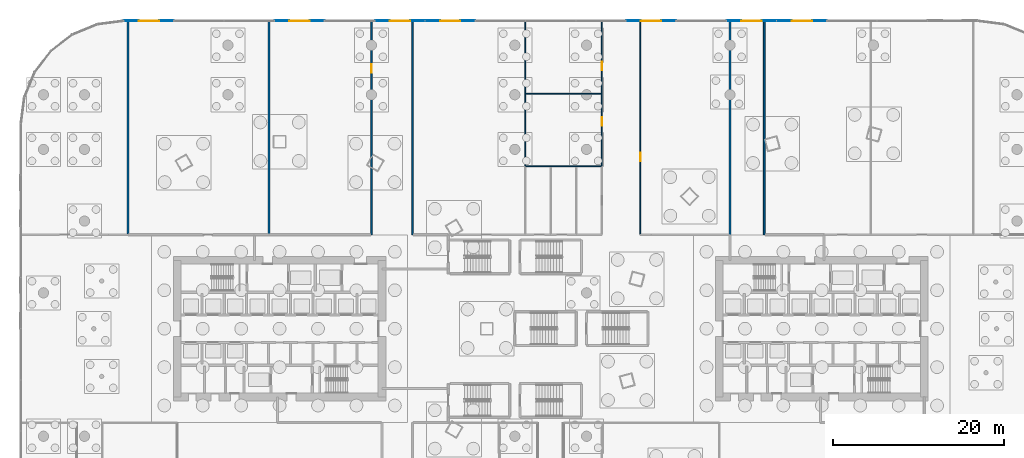
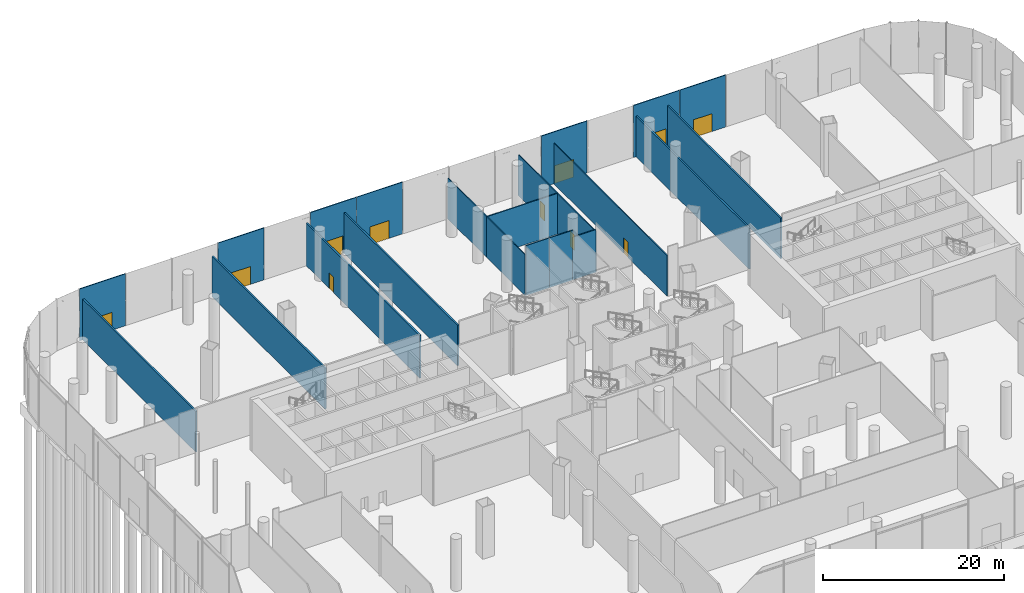
# One storey, part 34 of 41: 22 walls, 11 doors, 11 openings.
"""IFC4 building model written with IfcOpenShell, lengths in metres."""

from ifc_helpers import new_model, si_unit, direction, frame, frame_2d, origin, place, context, subcontext, project, spatial, rectangle, extrude, material, layer, layer_set, type_object, element, fill, save


model = new_model("IFC4")

# Units and contexts
model_context = context("Model", 3, precision=1e-05, world=origin(), true_north=direction((0.0, 1.0)))
body_context = subcontext(model_context, "Body", "Model", "MODEL_VIEW")
ifc_project = project(units=[si_unit("LENGTHUNIT", "METRE"), si_unit("AREAUNIT", "SQUARE_METRE"), si_unit("VOLUMEUNIT", "CUBIC_METRE"), si_unit("PLANEANGLEUNIT", "RADIAN"), si_unit("MASSUNIT", "GRAM", prefix="KILO")], contexts=[model_context])

# Site, building, storey
site_placement = place(None, origin())
site = spatial("IfcSite", under=ifc_project, at=site_placement, CompositionType="ELEMENT")
building_placement = place(site_placement, origin())
building = spatial("IfcBuilding", under=site, at=building_placement, Name="Rimbun Link Towers", CompositionType="ELEMENT")
storey_placement = place(building_placement, origin())
storey = spatial("IfcBuildingStorey", under=building, at=storey_placement, Name="L00", CompositionType="ELEMENT", Elevation=0.0)

# Wall, opening, door
ifc_material_1 = material(Name="Aluminium framed insulated infill panel", Category="aluminium")
ifc_layer_1 = layer(ifc_material_1, 0.10009765625)
ifc_layer_set_1 = layer_set([ifc_layer_1], Name="ED framed infill wall 100")
wall_type_1 = type_object("IfcWallType", Name="ED framed infill wall 100", PredefinedType="STANDARD", material=ifc_layer_set_1)
wall_1_placement = place(storey_placement, frame((26.490478515625, 36.050048828125, 0.0), z_axis=(0.0, 0.0, 1.0), x_axis=(1.0, 0.0, 0.0)))
wall_1 = element("IfcWall", 1, at=wall_1_placement, inside=storey, type_object=wall_type_1, Name="Framed door bay wall", PredefinedType="STANDARD", context=body_context, shape_type="SweptSolid", body=[
    extrude(rectangle(XDim=5.842529296875, YDim=0.10009765625, at=frame_2d((2.92138671875, 0.0))), origin(), (0.0, 0.0, 1.0), 7.0),
])
opening_1_placement = place(wall_1_placement, frame((1.72119140625, 0.0, 0.0)))
opening_1 = element("IfcOpeningElement", 2, at=opening_1_placement, cuts=wall_1, Name="Opening ED05", PredefinedType="OPENING", context=body_context, shape_type="SweptSolid", body=[
    extrude(rectangle(XDim=2.39990234375, YDim=2.39990234375, at=frame_2d((1.199951171875, 1.199951171875))), frame((0.0, 0.06005859375, 0.0), z_axis=(0.0, -1.0, 0.0), x_axis=(1.0, 0.0, 0.0)), (0.0, 0.0, 1.0), 0.1201171875),
])
ifc_material_2 = material(Name="Aluminium framed glazed door, low-iron glass", Category="aluminium")
door_type_1 = type_object("IfcDoorType", Name="ED entrance door double leaf 2400X2400", OperationType="DOUBLE_DOOR_SINGLE_SWING", PredefinedType="DOOR", material=ifc_material_2)
door_1_placement = place(opening_1_placement, origin())
door_1 = element("IfcDoor", 3, at=door_1_placement, inside=storey, type_object=door_type_1, Name="Entrance door", OperationType="SINGLE_SWING_LEFT", OverallHeight=2.39990234375, OverallWidth=2.39990234375, PredefinedType="DOOR", context=body_context, shape_type="SweptSolid", body=[
    extrude(rectangle(XDim=2.39990234375, YDim=2.39990234375, at=frame_2d((1.199951171875, 1.199951171875))), frame((0.0, 0.02490234375, 0.0), z_axis=(0.0, -1.0, 0.0), x_axis=(1.0, 0.0, 0.0)), (0.0, 0.0, 1.0), 0.050048828125),
])
fill(opening_1, door_1)

wall_2_placement = place(storey_placement, frame((20.608154296875, 36.050048828125, 0.0), z_axis=(0.0, 0.0, 1.0), x_axis=(1.0, 0.0, 0.0)))
wall_2 = element("IfcWall", 4, at=wall_2_placement, inside=storey, type_object=wall_type_1, Name="Framed door bay wall", PredefinedType="STANDARD", context=body_context, shape_type="SweptSolid", body=[
    extrude(rectangle(XDim=5.842529296875, YDim=0.10009765625, at=frame_2d((2.92138671875, 0.0))), origin(), (0.0, 0.0, 1.0), 7.0),
])
opening_2_placement = place(wall_2_placement, frame((1.72119140625, 0.0, 0.0)))
opening_2 = element("IfcOpeningElement", 5, at=opening_2_placement, cuts=wall_2, Name="Opening ED06", PredefinedType="OPENING", context=body_context, shape_type="SweptSolid", body=[
    extrude(rectangle(XDim=2.39990234375, YDim=2.39990234375, at=frame_2d((1.199951171875, 1.199951171875))), frame((0.0, 0.06005859375, 0.0), z_axis=(0.0, -1.0, 0.0), x_axis=(1.0, 0.0, 0.0)), (0.0, 0.0, 1.0), 0.1201171875),
])
door_2_placement = place(opening_2_placement, origin())
door_2 = element("IfcDoor", 6, at=door_2_placement, inside=storey, type_object=door_type_1, Name="Entrance door", OperationType="SINGLE_SWING_LEFT", OverallHeight=2.39990234375, OverallWidth=2.39990234375, PredefinedType="DOOR", context=body_context, shape_type="SweptSolid", body=[
    extrude(rectangle(XDim=2.39990234375, YDim=2.39990234375, at=frame_2d((1.199951171875, 1.199951171875))), frame((0.0, 0.02490234375, 0.0), z_axis=(0.0, -1.0, 0.0), x_axis=(1.0, 0.0, 0.0)), (0.0, 0.0, 1.0), 0.050048828125),
])
fill(opening_2, door_2)

wall_3_placement = place(storey_placement, frame((8.843505859375, 36.050048828125, 0.0), z_axis=(0.0, 0.0, 1.0), x_axis=(1.0, 0.0, 0.0)))
wall_3 = element("IfcWall", 7, at=wall_3_placement, inside=storey, type_object=wall_type_1, Name="Framed door bay wall", PredefinedType="STANDARD", context=body_context, shape_type="SweptSolid", body=[
    extrude(rectangle(XDim=5.84228515625, YDim=0.10009765625, at=frame_2d((2.921142578125, 0.0))), origin(), (0.0, 0.0, 1.0), 7.0),
])
opening_3_placement = place(wall_3_placement, frame((1.72119140625, 0.0, 0.0)))
opening_3 = element("IfcOpeningElement", 8, at=opening_3_placement, cuts=wall_3, Name="Opening ED07", PredefinedType="OPENING", context=body_context, shape_type="SweptSolid", body=[
    extrude(rectangle(XDim=2.39990234375, YDim=2.39990234375, at=frame_2d((1.199951171875, 1.199951171875))), frame((0.0, 0.06005859375, 0.0), z_axis=(0.0, -1.0, 0.0), x_axis=(1.0, 0.0, 0.0)), (0.0, 0.0, 1.0), 0.1201171875),
])
door_3_placement = place(opening_3_placement, origin())
door_3 = element("IfcDoor", 9, at=door_3_placement, inside=storey, type_object=door_type_1, Name="Entrance door", OperationType="SINGLE_SWING_LEFT", OverallHeight=2.39990234375, OverallWidth=2.39990234375, PredefinedType="DOOR", context=body_context, shape_type="SweptSolid", body=[
    extrude(rectangle(XDim=2.39990234375, YDim=2.39990234375, at=frame_2d((1.199951171875, 1.199951171875))), frame((0.0, 0.02490234375, 0.0), z_axis=(0.0, -1.0, 0.0), x_axis=(1.0, 0.0, 0.0)), (0.0, 0.0, 1.0), 0.050048828125),
])
fill(opening_3, door_3)

wall_4_placement = place(storey_placement, frame((-14.685791015625, 36.050048828125, 0.0), z_axis=(0.0, 0.0, 1.0), x_axis=(1.0, 0.0, 0.0)))
wall_4 = element("IfcWall", 10, at=wall_4_placement, inside=storey, type_object=wall_type_1, Name="Framed door bay wall", PredefinedType="STANDARD", context=body_context, shape_type="SweptSolid", body=[
    extrude(rectangle(XDim=5.84228515625, YDim=0.10009765625, at=frame_2d((2.921142578125, 0.0))), origin(), (0.0, 0.0, 1.0), 7.0),
])
opening_4_placement = place(wall_4_placement, frame((1.72119140625, 0.0, 0.0)))
opening_4 = element("IfcOpeningElement", 11, at=opening_4_placement, cuts=wall_4, Name="Opening ED08", PredefinedType="OPENING", context=body_context, shape_type="SweptSolid", body=[
    extrude(rectangle(XDim=2.39990234375, YDim=2.39990234375, at=frame_2d((1.199951171875, 1.199951171875))), frame((0.0, 0.06005859375, 0.0), z_axis=(0.0, -1.0, 0.0), x_axis=(1.0, 0.0, 0.0)), (0.0, 0.0, 1.0), 0.1201171875),
])
door_4_placement = place(opening_4_placement, origin())
door_4 = element("IfcDoor", 12, at=door_4_placement, inside=storey, type_object=door_type_1, Name="Entrance door", OperationType="SINGLE_SWING_LEFT", OverallHeight=2.39990234375, OverallWidth=2.39990234375, PredefinedType="DOOR", context=body_context, shape_type="SweptSolid", body=[
    extrude(rectangle(XDim=2.39990234375, YDim=2.39990234375, at=frame_2d((1.199951171875, 1.199951171875))), frame((0.0, 0.02490234375, 0.0), z_axis=(0.0, -1.0, 0.0), x_axis=(1.0, 0.0, 0.0)), (0.0, 0.0, 1.0), 0.050048828125),
])
fill(opening_4, door_4)

wall_5_placement = place(storey_placement, frame((-20.568115234375, 36.050048828125, 0.0), z_axis=(0.0, 0.0, 1.0), x_axis=(1.0, 0.0, 0.0)))
wall_5 = element("IfcWall", 13, at=wall_5_placement, inside=storey, type_object=wall_type_1, Name="Framed door bay wall", PredefinedType="STANDARD", context=body_context, shape_type="SweptSolid", body=[
    extrude(rectangle(XDim=5.84228515625, YDim=0.10009765625, at=frame_2d((2.921142578125, 0.0))), origin(), (0.0, 0.0, 1.0), 7.0),
])
opening_5_placement = place(wall_5_placement, frame((1.72119140625, 0.0, 0.0)))
opening_5 = element("IfcOpeningElement", 14, at=opening_5_placement, cuts=wall_5, Name="Opening ED09", PredefinedType="OPENING", context=body_context, shape_type="SweptSolid", body=[
    extrude(rectangle(XDim=2.39990234375, YDim=2.39990234375, at=frame_2d((1.199951171875, 1.199951171875))), frame((0.0, 0.06005859375, 0.0), z_axis=(0.0, -1.0, 0.0), x_axis=(1.0, 0.0, 0.0)), (0.0, 0.0, 1.0), 0.1201171875),
])
door_5_placement = place(opening_5_placement, origin())
door_5 = element("IfcDoor", 15, at=door_5_placement, inside=storey, type_object=door_type_1, Name="Entrance door", OperationType="SINGLE_SWING_LEFT", OverallHeight=2.39990234375, OverallWidth=2.39990234375, PredefinedType="DOOR", context=body_context, shape_type="SweptSolid", body=[
    extrude(rectangle(XDim=2.39990234375, YDim=2.39990234375, at=frame_2d((1.199951171875, 1.199951171875))), frame((0.0, 0.02490234375, 0.0), z_axis=(0.0, -1.0, 0.0), x_axis=(1.0, 0.0, 0.0)), (0.0, 0.0, 1.0), 0.050048828125),
])
fill(opening_5, door_5)

wall_6_placement = place(storey_placement, frame((-32.3330078125, 36.050048828125, 0.0), z_axis=(0.0, 0.0, 1.0), x_axis=(1.0, 0.0, 0.0)))
wall_6 = element("IfcWall", 16, at=wall_6_placement, inside=storey, type_object=wall_type_1, Name="Framed door bay wall", PredefinedType="STANDARD", context=body_context, shape_type="SweptSolid", body=[
    extrude(rectangle(XDim=5.842529296875, YDim=0.10009765625, at=frame_2d((2.92138671875, 0.0))), origin(), (0.0, 0.0, 1.0), 7.0),
])
opening_6_placement = place(wall_6_placement, frame((1.72119140625, 0.0, 0.0)))
opening_6 = element("IfcOpeningElement", 17, at=opening_6_placement, cuts=wall_6, Name="Opening ED10", PredefinedType="OPENING", context=body_context, shape_type="SweptSolid", body=[
    extrude(rectangle(XDim=2.39990234375, YDim=2.39990234375, at=frame_2d((1.199951171875, 1.199951171875))), frame((0.0, 0.06005859375, 0.0), z_axis=(0.0, -1.0, 0.0), x_axis=(1.0, 0.0, 0.0)), (0.0, 0.0, 1.0), 0.1201171875),
])
door_6_placement = place(opening_6_placement, origin())
door_6 = element("IfcDoor", 18, at=door_6_placement, inside=storey, type_object=door_type_1, Name="Entrance door", OperationType="SINGLE_SWING_LEFT", OverallHeight=2.39990234375, OverallWidth=2.39990234375, PredefinedType="DOOR", context=body_context, shape_type="SweptSolid", body=[
    extrude(rectangle(XDim=2.39990234375, YDim=2.39990234375, at=frame_2d((1.199951171875, 1.199951171875))), frame((0.0, 0.02490234375, 0.0), z_axis=(0.0, -1.0, 0.0), x_axis=(1.0, 0.0, 0.0)), (0.0, 0.0, 1.0), 0.050048828125),
])
fill(opening_6, door_6)

wall_7_placement = place(storey_placement, frame((-49.97998046875, 36.050048828125, 0.0), z_axis=(0.0, 0.0, 1.0), x_axis=(1.0, 0.0, 0.0)))
wall_7 = element("IfcWall", 19, at=wall_7_placement, inside=storey, type_object=wall_type_1, Name="Framed door bay wall", PredefinedType="STANDARD", context=body_context, shape_type="SweptSolid", body=[
    extrude(rectangle(XDim=5.84228515625, YDim=0.10009765625, at=frame_2d((2.921142578125, 0.0))), origin(), (0.0, 0.0, 1.0), 7.0),
])
opening_7_placement = place(wall_7_placement, frame((1.72119140625, 0.0, 0.0)))
opening_7 = element("IfcOpeningElement", 20, at=opening_7_placement, cuts=wall_7, Name="Opening ED11", PredefinedType="OPENING", context=body_context, shape_type="SweptSolid", body=[
    extrude(rectangle(XDim=2.39990234375, YDim=2.39990234375, at=frame_2d((1.199951171875, 1.199951171875))), frame((0.0, 0.06005859375, 0.0), z_axis=(0.0, -1.0, 0.0), x_axis=(1.0, 0.0, 0.0)), (0.0, 0.0, 1.0), 0.1201171875),
])
door_7_placement = place(opening_7_placement, origin())
door_7 = element("IfcDoor", 21, at=door_7_placement, inside=storey, type_object=door_type_1, Name="Entrance door", OperationType="SINGLE_SWING_LEFT", OverallHeight=2.39990234375, OverallWidth=2.39990234375, PredefinedType="DOOR", context=body_context, shape_type="SweptSolid", body=[
    extrude(rectangle(XDim=2.39990234375, YDim=2.39990234375, at=frame_2d((1.199951171875, 1.199951171875))), frame((0.0, 0.02490234375, 0.0), z_axis=(0.0, -1.0, 0.0), x_axis=(1.0, 0.0, 0.0)), (0.0, 0.0, 1.0), 0.050048828125),
])
fill(opening_7, door_7)

ifc_material_3 = material(Name="Concrete blockwork", Category="masonry")
ifc_layer_2 = layer(ifc_material_3, 0.199951171875)
ifc_layer_set_2 = layer_set([ifc_layer_2], Name="Fire partition 200 blockwork")
wall_type_2 = type_object("IfcWallType", Name="Fire partition 200 blockwork", PredefinedType="PARTITIONING", material=ifc_layer_set_2)
wall_8_placement = place(storey_placement, frame((-21.0, 36.080078125, 0.0), z_axis=(0.0, 0.0, 1.0), x_axis=(0.0, -1.0, 0.0)))
wall_8 = element("IfcWall", 22, at=wall_8_placement, inside=storey, type_object=wall_type_2, Name="PD/PW/L00/041", PredefinedType="PARTITIONING", context=body_context, shape_type="SweptSolid", body=[
    extrude(rectangle(XDim=25.080078125, YDim=0.199951171875, at=frame_2d((12.5400390625, 0.0))), origin(), (0.0, 0.0, 1.0), 5.761962890625),
])
opening_8_placement = place(wall_8_placement, frame((5.0859375, 0.0, 0.0)))
opening_8 = element("IfcOpeningElement", 23, at=opening_8_placement, cuts=wall_8, Name="Opening PD D00.21", PredefinedType="OPENING", context=body_context, shape_type="SweptSolid", body=[
    extrude(rectangle(XDim=1.0, YDim=2.10009765625, at=frame_2d((0.5, 1.050048828125))), frame((0.0, 0.10986328125, 0.0), z_axis=(0.0, -1.0, 0.0), x_axis=(1.0, 0.0, 0.0)), (0.0, 0.0, 1.0), 0.219970703125),
])
ifc_material_4 = material(Name="Steel fire door set", Category="steel")
door_type_2 = type_object("IfcDoorType", Name="Fire door single leaf 1000 x 2100", OperationType="NOTDEFINED", PredefinedType="DOOR", material=ifc_material_4)
door_8_placement = place(opening_8_placement, origin())
door_8 = element("IfcDoor", 24, at=door_8_placement, inside=storey, type_object=door_type_2, Name="PD/DR/L00/021", OperationType="SINGLE_SWING_RIGHT", OverallHeight=2.10009765625, OverallWidth=1.0, PredefinedType="DOOR", context=body_context, shape_type="SweptSolid", body=[
    extrude(rectangle(XDim=1.0, YDim=2.10009765625, at=frame_2d((0.5, 1.050048828125))), frame((0.0, 0.02490234375, 0.0), z_axis=(0.0, -1.0, 0.0), x_axis=(1.0, 0.0, 0.0)), (0.0, 0.0, 1.0), 0.050048828125),
])
fill(opening_8, door_8)

# Walls
for number, where, z_axis, x_axis, name in (
    (25, (-16.199951171875, 11.0, 0.0), (0.0, 0.0, 1.0), (0.0, 1.0, 0.0), "PD/PW/L00/043"),
    (26, (21.0, 36.080078125, 0.0), (0.0, 0.0, 1.0), (0.0, -1.0, 0.0), "PD/PW/L00/047"),
    (27, (25.0, 11.0, 0.0), (0.0, 0.0, 1.0), (0.0, 1.0, 0.0), "PD/PW/L00/048"),
):
    element("IfcWall", number, at=place(storey_placement, frame(where, z_axis=z_axis, x_axis=x_axis)), inside=storey, type_object=wall_type_2, Name=name, PredefinedType="PARTITIONING", context=body_context, shape_type="SweptSolid", body=[
        extrude(rectangle(XDim=25.080078125, YDim=0.199951171875, at=frame_2d((12.5400390625, 0.0))), origin(), (0.0, 0.0, 1.0), 5.47998046875),
    ])
wall_9_placement = place(storey_placement, frame((-49.5, 11.0625, 0.0), z_axis=(0.0, 0.0, 1.0), x_axis=(0.0, 1.0, 0.0)))
element("IfcWall", 28, at=wall_9_placement, inside=storey, type_object=wall_type_2, Name="PD/PW/L00/122", PredefinedType="PARTITIONING", context=body_context, shape_type="SweptSolid", body=[
    extrude(rectangle(XDim=25.017578125, YDim=0.199951171875, at=frame_2d((12.5087890625, 0.0))), origin(), (0.0, 0.0, 1.0), 5.47998046875),
])
wall_10_placement = place(storey_placement, frame((-33.0, 11.10009765625, 0.0), z_axis=(0.0, 0.0, 1.0), x_axis=(0.0, 1.0, 0.0)))
element("IfcWall", 29, at=wall_10_placement, inside=storey, type_object=wall_type_2, Name="PD/PW/L00/123", PredefinedType="PARTITIONING", context=body_context, shape_type="SweptSolid", body=[
    extrude(rectangle(XDim=24.97998046875, YDim=0.199951171875, at=frame_2d((12.489990234375, 0.0))), origin(), (0.0, 0.0, 1.0), 5.47998046875),
])

# Wall, opening, door
ifc_material_5 = material(Name="Gypsum board on steel studs", Category="steel")
ifc_layer_3 = layer(ifc_material_5, 0.125)
ifc_layer_set_3 = layer_set([ifc_layer_3], Name="Partition 125 board on studs")
wall_type_3 = type_object("IfcWallType", Name="Partition 125 board on studs", PredefinedType="PARTITIONING", material=ifc_layer_set_3)
wall_11_placement = place(storey_placement, frame((6.0, 27.5, 0.0), z_axis=(0.0, 0.0, 1.0), x_axis=(0.0, -1.0, 0.0)))
wall_11 = element("IfcWall", 30, at=wall_11_placement, inside=storey, type_object=wall_type_3, Name="PD/PW/L00/110", PredefinedType="PARTITIONING", context=body_context, shape_type="SweptSolid", body=[
    extrude(rectangle(XDim=8.5, YDim=0.125, at=frame_2d((4.25, 0.0))), origin(), (0.0, 0.0, 1.0), 5.47998046875),
])
opening_9_placement = place(wall_11_placement, frame((2.760009765625, 0.0, 0.0)))
opening_9 = element("IfcOpeningElement", 31, at=opening_9_placement, cuts=wall_11, Name="Opening PD D00.17", PredefinedType="OPENING", context=body_context, shape_type="SweptSolid", body=[
    extrude(rectangle(XDim=1.0, YDim=2.10009765625, at=frame_2d((0.5, 1.050048828125))), frame((0.0, 0.072509765625, 0.0), z_axis=(0.0, -1.0, 0.0), x_axis=(1.0, 0.0, 0.0)), (0.0, 0.0, 1.0), 0.14501953125),
])
ifc_material_6 = material(Name="Timber door set", Category="wood")
door_type_3 = type_object("IfcDoorType", Name="Door single leaf 1000 x 2100", OperationType="NOTDEFINED", PredefinedType="DOOR", material=ifc_material_6)
door_9_placement = place(opening_9_placement, origin())
door_9 = element("IfcDoor", 32, at=door_9_placement, inside=storey, type_object=door_type_3, Name="PD/DR/L00/017", OperationType="SINGLE_SWING_RIGHT", OverallHeight=2.10009765625, OverallWidth=1.0, PredefinedType="DOOR", context=body_context, shape_type="SweptSolid", body=[
    extrude(rectangle(XDim=1.0, YDim=2.10009765625, at=frame_2d((0.5, 1.050048828125))), frame((0.0, 0.02490234375, 0.0), z_axis=(0.0, -1.0, 0.0), x_axis=(1.0, 0.0, 0.0)), (0.0, 0.0, 1.0), 0.050048828125),
])
fill(opening_9, door_9)

wall_12_placement = place(storey_placement, frame((6.0, 36.080078125, 0.0), z_axis=(0.0, 0.0, 1.0), x_axis=(0.0, -1.0, 0.0)))
wall_12 = element("IfcWall", 33, at=wall_12_placement, inside=storey, type_object=wall_type_3, Name="PD/PW/L00/111", PredefinedType="PARTITIONING", context=body_context, shape_type="SweptSolid", body=[
    extrude(rectangle(XDim=8.580078125, YDim=0.125, at=frame_2d((4.2900390625, 0.0))), origin(), (0.0, 0.0, 1.0), 5.47998046875),
])
opening_10_placement = place(wall_12_placement, frame((4.7919921875, 0.0, 0.0)))
opening_10 = element("IfcOpeningElement", 34, at=opening_10_placement, cuts=wall_12, Name="Opening PD D00.18", PredefinedType="OPENING", context=body_context, shape_type="SweptSolid", body=[
    extrude(rectangle(XDim=1.0, YDim=2.10009765625, at=frame_2d((0.5, 1.050048828125))), frame((0.0, 0.072509765625, 0.0), z_axis=(0.0, -1.0, 0.0), x_axis=(1.0, 0.0, 0.0)), (0.0, 0.0, 1.0), 0.14501953125),
])
door_10_placement = place(opening_10_placement, origin())
door_10 = element("IfcDoor", 35, at=door_10_placement, inside=storey, type_object=door_type_3, Name="PD/DR/L00/018", OperationType="SINGLE_SWING_LEFT", OverallHeight=2.10009765625, OverallWidth=1.0, PredefinedType="DOOR", context=body_context, shape_type="SweptSolid", body=[
    extrude(rectangle(XDim=1.0, YDim=2.10009765625, at=frame_2d((0.5, 1.050048828125))), frame((0.0, 0.02490234375, 0.0), z_axis=(0.0, -1.0, 0.0), x_axis=(1.0, 0.0, 0.0)), (0.0, 0.0, 1.0), 0.050048828125),
])
fill(opening_10, door_10)

wall_13_placement = place(storey_placement, frame((10.5, 11.0625, 0.0), z_axis=(0.0, 0.0, 1.0), x_axis=(0.0, 1.0, 0.0)))
wall_13 = element("IfcWall", 36, at=wall_13_placement, inside=storey, type_object=wall_type_3, Name="PD/PW/L00/112", PredefinedType="PARTITIONING", context=body_context, shape_type="SweptSolid", body=[
    extrude(rectangle(XDim=25.017578125, YDim=0.125, at=frame_2d((12.5087890625, 0.0))), origin(), (0.0, 0.0, 1.0), 5.47998046875),
])
opening_11_placement = place(wall_13_placement, frame((8.541015625, 0.0, 0.0)))
opening_11 = element("IfcOpeningElement", 37, at=opening_11_placement, cuts=wall_13, Name="Opening PD D00.23", PredefinedType="OPENING", context=body_context, shape_type="SweptSolid", body=[
    extrude(rectangle(XDim=1.0, YDim=2.10009765625, at=frame_2d((0.5, 1.050048828125))), frame((0.0, 0.072509765625, 0.0), z_axis=(0.0, -1.0, 0.0), x_axis=(1.0, 0.0, 0.0)), (0.0, 0.0, 1.0), 0.14501953125),
])
door_11_placement = place(opening_11_placement, origin())
door_11 = element("IfcDoor", 38, at=door_11_placement, inside=storey, type_object=door_type_3, Name="PD/DR/L00/023", OperationType="SINGLE_SWING_RIGHT", OverallHeight=2.10009765625, OverallWidth=1.0, PredefinedType="DOOR", context=body_context, shape_type="SweptSolid", body=[
    extrude(rectangle(XDim=1.0, YDim=2.10009765625, at=frame_2d((0.5, 1.050048828125))), frame((0.0, 0.02490234375, 0.0), z_axis=(0.0, -1.0, 0.0), x_axis=(1.0, 0.0, 0.0)), (0.0, 0.0, 1.0), 0.050048828125),
])
fill(opening_11, door_11)

# Walls
wall_14_placement = place(storey_placement, frame((0.02001953125, 19.0, 0.0), z_axis=(0.0, 0.0, 1.0), x_axis=(-1.0, 0.0, 0.0)))
element("IfcWall", 39, at=wall_14_placement, inside=storey, type_object=wall_type_3, Name="PD/PW/L00/114", PredefinedType="PARTITIONING", context=body_context, shape_type="SweptSolid", body=[
    extrude(rectangle(XDim=2.95751953125, YDim=0.125, at=frame_2d((1.478759765625, 0.0))), origin(), (0.0, 0.0, 1.0), 6.699951171875),
])
wall_15_placement = place(storey_placement, frame((3.02001953125, 19.0, 0.0), z_axis=(0.0, 0.0, 1.0), x_axis=(-1.0, 0.0, 0.0)))
element("IfcWall", 40, at=wall_15_placement, inside=storey, type_object=wall_type_3, Name="PD/PW/L00/117", PredefinedType="PARTITIONING", context=body_context, shape_type="SweptSolid", body=[
    extrude(rectangle(XDim=3.0400390625, YDim=0.125, at=frame_2d((1.52001953125, 0.0))), origin(), (0.0, 0.0, 1.0), 6.699951171875),
])
wall_16_placement = place(storey_placement, frame((5.9375, 19.0, 0.0), z_axis=(0.0, 0.0, 1.0), x_axis=(-1.0, 0.0, 0.0)))
element("IfcWall", 41, at=wall_16_placement, inside=storey, type_object=wall_type_3, Name="PD/PW/L00/118", PredefinedType="PARTITIONING", context=body_context, shape_type="SweptSolid", body=[
    extrude(rectangle(XDim=2.95751953125, YDim=0.125, at=frame_2d((1.478759765625, 0.0))), origin(), (0.0, 0.0, 1.0), 5.761962890625),
])
wall_17_placement = place(storey_placement, frame((5.9375, 27.5, 0.0), z_axis=(0.0, 0.0, 1.0), x_axis=(-1.0, 0.0, 0.0)))
element("IfcWall", 42, at=wall_17_placement, inside=storey, type_object=wall_type_3, Name="PD/PW/L00/119", PredefinedType="PARTITIONING", context=body_context, shape_type="SweptSolid", body=[
    extrude(rectangle(XDim=8.875, YDim=0.125, at=frame_2d((4.4375, 0.0))), origin(), (0.0, 0.0, 1.0), 5.47998046875),
])
wall_18_placement = place(storey_placement, frame((-3.0, 27.52001953125, 0.0), z_axis=(0.0, 0.0, 1.0), x_axis=(0.0, -1.0, 0.0)))
element("IfcWall", 43, at=wall_18_placement, inside=storey, type_object=wall_type_3, Name="PD/PW/L00/120", PredefinedType="PARTITIONING", context=body_context, shape_type="SweptSolid", body=[
    extrude(rectangle(XDim=8.5400390625, YDim=0.125, at=frame_2d((4.27001953125, 0.0))), origin(), (0.0, 0.0, 1.0), 5.47998046875),
])
wall_19_placement = place(storey_placement, frame((-3.0, 36.080078125, 0.0), z_axis=(0.0, 0.0, 1.0), x_axis=(0.0, -1.0, 0.0)))
element("IfcWall", 44, at=wall_19_placement, inside=storey, type_object=wall_type_3, Name="PD/PW/L00/121", PredefinedType="PARTITIONING", context=body_context, shape_type="SweptSolid", body=[
    extrude(rectangle(XDim=8.60009765625, YDim=0.125, at=frame_2d((4.300048828125, 0.0))), origin(), (0.0, 0.0, 1.0), 5.47998046875),
])

save(model, "model.ifc")
